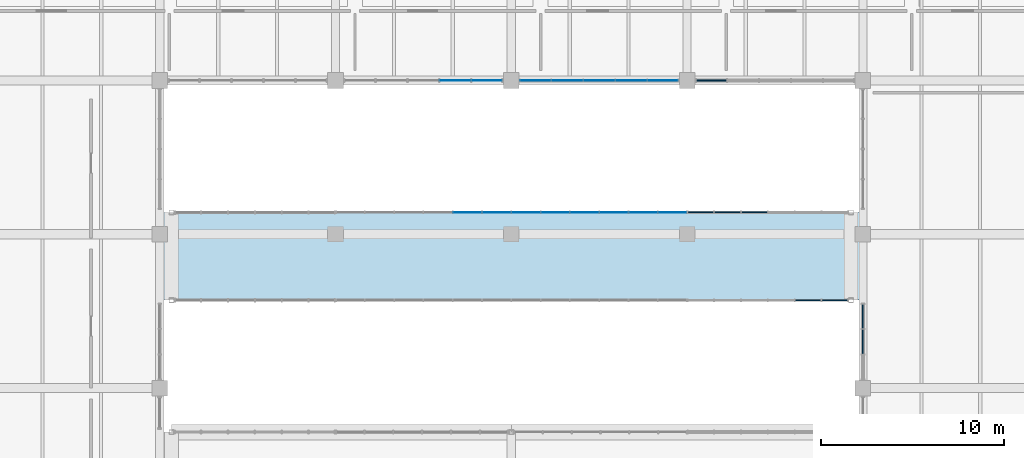
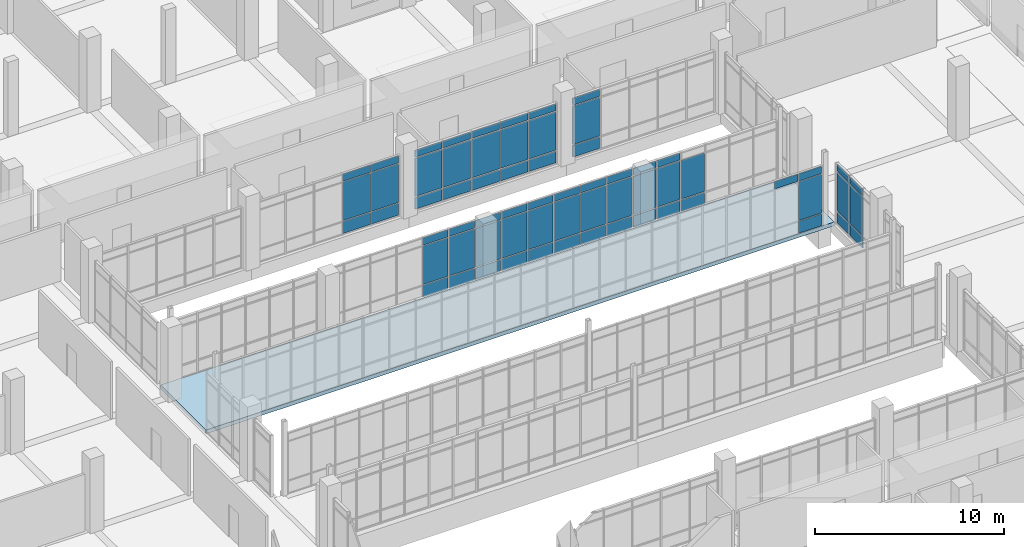
# One storey, part 102 of 152: 66 plates, 1 slab, 7 elements without a shape of their own.
"""IFC4 building model written with IfcOpenShell, lengths in metres."""

from ifc_helpers import new_model, si_unit, direction, frame, origin, origin_2d, place, context, subcontext, project, spatial, polyline, rectangle, outline, extrude, material, layer, layer_set, type_object, element, aggregate, save


model = new_model("IFC4")

# Units and contexts
model_context = context("Model", 3, precision=1e-05, world=origin(), true_north=direction((0.0, 1.0)))
body_context = subcontext(model_context, "Body", "Model", "MODEL_VIEW")
ifc_project = project(units=[si_unit("LENGTHUNIT", "METRE"), si_unit("AREAUNIT", "SQUARE_METRE"), si_unit("VOLUMEUNIT", "CUBIC_METRE"), si_unit("PLANEANGLEUNIT", "RADIAN"), si_unit("MASSUNIT", "GRAM", prefix="KILO")], contexts=[model_context])

# Site, building, storey
site_placement = place(None, origin())
site = spatial("IfcSite", under=ifc_project, at=site_placement, CompositionType="ELEMENT")
building_placement = place(site_placement, origin())
building = spatial("IfcBuilding", under=site, at=building_placement, Name="Oolite Switchyard Hospital", CompositionType="ELEMENT")
storey_placement = place(building_placement, frame((0.0, 0.0, 5.10009765625)))
storey = spatial("IfcBuildingStorey", under=building, at=storey_placement, Name="L01", CompositionType="ELEMENT", Elevation=5.10009765625)

# Curtain wall, plates
ifc_material_1 = material(Name="Thermally broken aluminum frame with laminated impact glazing", Category="aluminium")
curtain_wall_type_1 = type_object("IfcCurtainWallType", Name="CW-BRG-96X38", PredefinedType="USERDEFINED", material=ifc_material_1)
curtain_wall_1_placement = place(storey_placement, origin())
curtain_wall_1 = element("IfcCurtainWall", 1, at=curtain_wall_1_placement, inside=storey, type_object=curtain_wall_type_1, Name="L01 Unitised Curtain Wall 126", ObjectType="UNITISED", PredefinedType="USERDEFINED")
ifc_material_2 = material(Name="Insulated fluoropolymer-coated aluminum spandrel panel", Category="aluminium")
ifc_layer_1 = layer(ifc_material_2, 0.054931640625)
ifc_layer_set_1 = layer_set([ifc_layer_1], Name="CW-PNL-SPN55")
plate_type_1 = type_object("IfcPlateType", Name="CW-PNL-SPN55", PredefinedType="CURTAIN_PANEL", material=ifc_layer_set_1)
plate_1_placement = place(storey_placement, frame((180.8564453125, 46.800048828125, 0.06005859375), z_axis=(0.0, 0.0, 1.0), x_axis=(-1.0, 0.0, 0.0)))
plate_1 = element("IfcPlate", 2, at=plate_1_placement, type_object=plate_type_1, Name="CW-12 panel 1.1", PredefinedType="CURTAIN_PANEL", context=body_context, shape_type="SweptSolid", body=[
    extrude(rectangle(XDim=1.363037109375, YDim=0.054931640625, at=origin_2d()), origin(), (0.0, 0.0, 1.0), 0.760009765625),
])
plate_2_placement = place(storey_placement, frame((180.8564453125, 46.800048828125, 0.8798828125), z_axis=(0.0, 0.0, 1.0), x_axis=(-1.0, 0.0, 0.0)))
plate_2 = element("IfcPlate", 3, at=plate_2_placement, type_object=plate_type_1, Name="CW-12 panel 1.2", PredefinedType="CURTAIN_PANEL", context=body_context, shape_type="SweptSolid", body=[
    extrude(rectangle(XDim=1.363037109375, YDim=0.054931640625, at=origin_2d()), origin(), (0.0, 0.0, 1.0), 2.47998046875),
])
plate_3_placement = place(storey_placement, frame((180.8564453125, 46.800048828125, 3.419921875), z_axis=(0.0, 0.0, 1.0), x_axis=(-1.0, 0.0, 0.0)))
plate_3 = element("IfcPlate", 4, at=plate_3_placement, type_object=plate_type_1, Name="CW-12 panel 1.3", PredefinedType="CURTAIN_PANEL", context=body_context, shape_type="SweptSolid", body=[
    extrude(rectangle(XDim=1.363037109375, YDim=0.054931640625, at=origin_2d()), origin(), (0.0, 0.0, 1.0), 0.4599609375),
])
plate_4_placement = place(storey_placement, frame((179.406005859375, 46.800048828125, 3.419921875), z_axis=(0.0, 0.0, 1.0), x_axis=(-1.0, 0.0, 0.0)))
plate_4 = element("IfcPlate", 5, at=plate_4_placement, type_object=plate_type_1, Name="CW-12 panel 2.3", PredefinedType="CURTAIN_PANEL", context=body_context, shape_type="SweptSolid", body=[
    extrude(rectangle(XDim=1.39794921875, YDim=0.054931640625, at=origin_2d()), origin(), (0.0, 0.0, 1.0), 0.4599609375),
])
aggregate(curtain_wall_1, [plate_1, plate_2, plate_3, plate_4])

curtain_wall_2_placement = place(storey_placement, origin())
curtain_wall_2 = element("IfcCurtainWall", 6, at=curtain_wall_2_placement, inside=storey, type_object=curtain_wall_type_1, Name="L01 Unitised Curtain Wall 129", ObjectType="UNITISED", PredefinedType="USERDEFINED")
plate_5_placement = place(storey_placement, frame((173.551513671875, 51.60009765625, 0.07470703125), z_axis=(0.0, 0.0, 1.0), x_axis=(1.0, 0.0, 0.0)))
plate_5 = element("IfcPlate", 7, at=plate_5_placement, type_object=plate_type_1, Name="CW-12 panel 1.1", PredefinedType="CURTAIN_PANEL", context=body_context, shape_type="SweptSolid", body=[
    extrude(rectangle(XDim=1.363037109375, YDim=0.054931640625, at=origin_2d()), origin(), (0.0, 0.0, 1.0), 0.737548828125),
])
plate_6_placement = place(storey_placement, frame((173.551513671875, 51.60009765625, 0.88720703125), z_axis=(0.0, 0.0, 1.0), x_axis=(1.0, 0.0, 0.0)))
plate_6 = element("IfcPlate", 8, at=plate_6_placement, type_object=plate_type_1, Name="CW-12 panel 1.2", PredefinedType="CURTAIN_PANEL", context=body_context, shape_type="SweptSolid", body=[
    extrude(rectangle(XDim=1.363037109375, YDim=0.054931640625, at=origin_2d()), origin(), (0.0, 0.0, 1.0), 2.465087890625),
])
plate_7_placement = place(storey_placement, frame((173.551513671875, 51.60009765625, 3.427490234375), z_axis=(0.0, 0.0, 1.0), x_axis=(1.0, 0.0, 0.0)))
plate_7 = element("IfcPlate", 9, at=plate_7_placement, type_object=plate_type_1, Name="CW-12 panel 1.3", PredefinedType="CURTAIN_PANEL", context=body_context, shape_type="SweptSolid", body=[
    extrude(rectangle(XDim=1.363037109375, YDim=0.054931640625, at=origin_2d()), origin(), (0.0, 0.0, 1.0), 0.4375),
])
plate_8_placement = place(storey_placement, frame((175.001953125, 51.60009765625, 0.07470703125), z_axis=(0.0, 0.0, 1.0), x_axis=(1.0, 0.0, 0.0)))
plate_8 = element("IfcPlate", 10, at=plate_8_placement, type_object=plate_type_1, Name="CW-12 panel 2.1", PredefinedType="CURTAIN_PANEL", context=body_context, shape_type="SweptSolid", body=[
    extrude(rectangle(XDim=1.39794921875, YDim=0.054931640625, at=origin_2d()), origin(), (0.0, 0.0, 1.0), 0.737548828125),
])
plate_9_placement = place(storey_placement, frame((175.001953125, 51.60009765625, 0.88720703125), z_axis=(0.0, 0.0, 1.0), x_axis=(1.0, 0.0, 0.0)))
plate_9 = element("IfcPlate", 11, at=plate_9_placement, type_object=plate_type_1, Name="CW-12 panel 2.2", PredefinedType="CURTAIN_PANEL", context=body_context, shape_type="SweptSolid", body=[
    extrude(rectangle(XDim=1.39794921875, YDim=0.054931640625, at=origin_2d()), origin(), (0.0, 0.0, 1.0), 2.465087890625),
])
plate_10_placement = place(storey_placement, frame((175.001953125, 51.60009765625, 3.427490234375), z_axis=(0.0, 0.0, 1.0), x_axis=(1.0, 0.0, 0.0)))
plate_10 = element("IfcPlate", 12, at=plate_10_placement, type_object=plate_type_1, Name="CW-12 panel 2.3", PredefinedType="CURTAIN_PANEL", context=body_context, shape_type="SweptSolid", body=[
    extrude(rectangle(XDim=1.39794921875, YDim=0.054931640625, at=origin_2d()), origin(), (0.0, 0.0, 1.0), 0.4375),
])
plate_11_placement = place(storey_placement, frame((176.469970703125, 51.60009765625, 0.07470703125), z_axis=(0.0, 0.0, 1.0), x_axis=(1.0, 0.0, 0.0)))
plate_11 = element("IfcPlate", 13, at=plate_11_placement, type_object=plate_type_1, Name="CW-12 panel 3.1", PredefinedType="CURTAIN_PANEL", context=body_context, shape_type="SweptSolid", body=[
    extrude(rectangle(XDim=1.39794921875, YDim=0.054931640625, at=origin_2d()), origin(), (0.0, 0.0, 1.0), 0.737548828125),
])
plate_12_placement = place(storey_placement, frame((176.469970703125, 51.60009765625, 0.88720703125), z_axis=(0.0, 0.0, 1.0), x_axis=(1.0, 0.0, 0.0)))
plate_12 = element("IfcPlate", 14, at=plate_12_placement, type_object=plate_type_1, Name="CW-12 panel 3.2", PredefinedType="CURTAIN_PANEL", context=body_context, shape_type="SweptSolid", body=[
    extrude(rectangle(XDim=1.39794921875, YDim=0.054931640625, at=origin_2d()), origin(), (0.0, 0.0, 1.0), 2.465087890625),
])
aggregate(curtain_wall_2, [plate_5, plate_6, plate_7, plate_8, plate_9, plate_10, plate_11, plate_12])

curtain_wall_3_placement = place(storey_placement, origin())
curtain_wall_3 = element("IfcCurtainWall", 15, at=curtain_wall_3_placement, inside=storey, type_object=curtain_wall_type_1, Name="L01 Unitised Curtain Wall 199", ObjectType="UNITISED", PredefinedType="USERDEFINED")
plate_13_placement = place(storey_placement, frame((182.39990234375, 44.5400390625, 0.07470703125), z_axis=(0.0, 0.0, 1.0), x_axis=(0.0, 1.0, 0.0)))
plate_13 = element("IfcPlate", 16, at=plate_13_placement, type_object=plate_type_1, Name="CW-12 panel 2.1", PredefinedType="CURTAIN_PANEL", context=body_context, shape_type="SweptSolid", body=[
    extrude(rectangle(XDim=1.324951171875, YDim=0.054931640625, at=origin_2d()), origin(), (0.0, 0.0, 1.0), 0.737548828125),
])
plate_14_placement = place(storey_placement, frame((182.39990234375, 44.5400390625, 0.88720703125), z_axis=(0.0, 0.0, 1.0), x_axis=(0.0, 1.0, 0.0)))
plate_14 = element("IfcPlate", 17, at=plate_14_placement, type_object=plate_type_1, Name="CW-12 panel 2.2", PredefinedType="CURTAIN_PANEL", context=body_context, shape_type="SweptSolid", body=[
    extrude(rectangle(XDim=1.324951171875, YDim=0.054931640625, at=origin_2d()), origin(), (0.0, 0.0, 1.0), 2.465087890625),
])
plate_15_placement = place(storey_placement, frame((182.39990234375, 44.5400390625, 3.427490234375), z_axis=(0.0, 0.0, 1.0), x_axis=(0.0, 1.0, 0.0)))
plate_15 = element("IfcPlate", 18, at=plate_15_placement, type_object=plate_type_1, Name="CW-12 panel 2.3", PredefinedType="CURTAIN_PANEL", context=body_context, shape_type="SweptSolid", body=[
    extrude(rectangle(XDim=1.324951171875, YDim=0.054931640625, at=origin_2d()), origin(), (0.0, 0.0, 1.0), 0.4375),
])
plate_16_placement = place(storey_placement, frame((182.39990234375, 45.921142578125, 0.07470703125), z_axis=(0.0, 0.0, 1.0), x_axis=(0.0, 1.0, 0.0)))
plate_16 = element("IfcPlate", 19, at=plate_16_placement, type_object=plate_type_1, Name="CW-12 panel 3.1", PredefinedType="CURTAIN_PANEL", context=body_context, shape_type="SweptSolid", body=[
    extrude(rectangle(XDim=1.28759765625, YDim=0.054931640625, at=origin_2d()), origin(), (0.0, 0.0, 1.0), 0.737548828125),
])
plate_17_placement = place(storey_placement, frame((182.39990234375, 45.921142578125, 0.88720703125), z_axis=(0.0, 0.0, 1.0), x_axis=(0.0, 1.0, 0.0)))
plate_17 = element("IfcPlate", 20, at=plate_17_placement, type_object=plate_type_1, Name="CW-12 panel 3.2", PredefinedType="CURTAIN_PANEL", context=body_context, shape_type="SweptSolid", body=[
    extrude(rectangle(XDim=1.28759765625, YDim=0.054931640625, at=origin_2d()), origin(), (0.0, 0.0, 1.0), 2.465087890625),
])
plate_18_placement = place(storey_placement, frame((182.39990234375, 45.921142578125, 3.427490234375), z_axis=(0.0, 0.0, 1.0), x_axis=(0.0, 1.0, 0.0)))
plate_18 = element("IfcPlate", 21, at=plate_18_placement, type_object=plate_type_1, Name="CW-12 panel 3.3", PredefinedType="CURTAIN_PANEL", context=body_context, shape_type="SweptSolid", body=[
    extrude(rectangle(XDim=1.28759765625, YDim=0.054931640625, at=origin_2d()), origin(), (0.0, 0.0, 1.0), 0.4375),
])
aggregate(curtain_wall_3, [plate_13, plate_14, plate_15, plate_16, plate_17, plate_18])

curtain_wall_type_2 = type_object("IfcCurtainWallType", Name="CW-UNIT-96X48", PredefinedType="USERDEFINED", material=ifc_material_1)
curtain_wall_4_placement = place(storey_placement, origin())
curtain_wall_4 = element("IfcCurtainWall", 22, at=curtain_wall_4_placement, inside=storey, type_object=curtain_wall_type_2, Name="L01 Unitised Curtain Wall 133", ObjectType="UNITISED", PredefinedType="USERDEFINED")
ifc_layer_2 = layer(ifc_material_2, 0.070068359375)
ifc_layer_set_2 = layer_set([ifc_layer_2], Name="CW-PNL-SPN70")
plate_type_2 = type_object("IfcPlateType", Name="CW-PNL-SPN70", PredefinedType="CURTAIN_PANEL", material=ifc_layer_set_2)
plate_19_placement = place(storey_placement, frame((174.130859375, 58.800048828125, 0.07470703125), z_axis=(0.0, 0.0, 1.0), x_axis=(-1.0, 0.0, 0.0)))
plate_19 = element("IfcPlate", 23, at=plate_19_placement, type_object=plate_type_2, Name="CW-02 panel 5.1", PredefinedType="CURTAIN_PANEL", context=body_context, shape_type="SweptSolid", body=[
    extrude(rectangle(XDim=1.631591796875, YDim=0.070068359375, at=origin_2d()), origin(), (0.0, 0.0, 1.0), 0.737548828125),
])
plate_20_placement = place(storey_placement, frame((174.130859375, 58.800048828125, 0.88720703125), z_axis=(0.0, 0.0, 1.0), x_axis=(-1.0, 0.0, 0.0)))
plate_20 = element("IfcPlate", 24, at=plate_20_placement, type_object=plate_type_2, Name="CW-02 panel 5.2", PredefinedType="CURTAIN_PANEL", context=body_context, shape_type="SweptSolid", body=[
    extrude(rectangle(XDim=1.631591796875, YDim=0.070068359375, at=origin_2d()), origin(), (0.0, 0.0, 1.0), 2.465087890625),
])
plate_21_placement = place(storey_placement, frame((174.130859375, 58.800048828125, 3.427490234375), z_axis=(0.0, 0.0, 1.0), x_axis=(-1.0, 0.0, 0.0)))
plate_21 = element("IfcPlate", 25, at=plate_21_placement, type_object=plate_type_2, Name="CW-02 panel 5.3", PredefinedType="CURTAIN_PANEL", context=body_context, shape_type="SweptSolid", body=[
    extrude(rectangle(XDim=1.631591796875, YDim=0.070068359375, at=origin_2d()), origin(), (0.0, 0.0, 1.0), 0.4375),
])
aggregate(curtain_wall_4, [plate_19, plate_20, plate_21])

curtain_wall_5_placement = place(storey_placement, origin())
curtain_wall_5 = element("IfcCurtainWall", 26, at=curtain_wall_5_placement, inside=storey, type_object=curtain_wall_type_1, Name="L01 Unitised Curtain Wall 128", ObjectType="UNITISED", PredefinedType="USERDEFINED")
ifc_material_3 = material(Name="Laminated hurricane-impact insulated glazing unit", Category="glass")
ifc_layer_3 = layer(ifc_material_3, 0.035888671875)
ifc_layer_set_3 = layer_set([ifc_layer_3], Name="CW-PNL-VIS36")
plate_type_3 = type_object("IfcPlateType", Name="CW-PNL-VIS36", PredefinedType="CURTAIN_PANEL", material=ifc_layer_set_3)
plate_22_placement = place(storey_placement, frame((160.800048828125, 51.60009765625, 0.06005859375), z_axis=(0.0, 0.0, 1.0), x_axis=(1.0, 0.0, 0.0)))
plate_22 = element("IfcPlate", 27, at=plate_22_placement, type_object=plate_type_3, Name="CW-12 panel 5.1", PredefinedType="CURTAIN_PANEL", context=body_context, shape_type="SweptSolid", body=[
    extrude(rectangle(XDim=1.5400390625, YDim=0.035888671875, at=origin_2d()), origin(), (0.0, 0.0, 1.0), 0.760009765625),
])
plate_23_placement = place(storey_placement, frame((160.800048828125, 51.60009765625, 0.8798828125), z_axis=(0.0, 0.0, 1.0), x_axis=(1.0, 0.0, 0.0)))
plate_23 = element("IfcPlate", 28, at=plate_23_placement, type_object=plate_type_3, Name="CW-12 panel 5.2", PredefinedType="CURTAIN_PANEL", context=body_context, shape_type="SweptSolid", body=[
    extrude(rectangle(XDim=1.5400390625, YDim=0.035888671875, at=origin_2d()), origin(), (0.0, 0.0, 1.0), 2.47998046875),
])
plate_24_placement = place(storey_placement, frame((160.800048828125, 51.60009765625, 3.419921875), z_axis=(0.0, 0.0, 1.0), x_axis=(1.0, 0.0, 0.0)))
plate_24 = element("IfcPlate", 29, at=plate_24_placement, type_object=plate_type_3, Name="CW-12 panel 5.3", PredefinedType="CURTAIN_PANEL", context=body_context, shape_type="SweptSolid", body=[
    extrude(rectangle(XDim=1.5400390625, YDim=0.035888671875, at=origin_2d()), origin(), (0.0, 0.0, 1.0), 0.4599609375),
])
plate_25_placement = place(storey_placement, frame((162.39990234375, 51.60009765625, 0.06005859375), z_axis=(0.0, 0.0, 1.0), x_axis=(1.0, 0.0, 0.0)))
plate_25 = element("IfcPlate", 30, at=plate_25_placement, type_object=plate_type_3, Name="CW-12 panel 6.1", PredefinedType="CURTAIN_PANEL", context=body_context, shape_type="SweptSolid", body=[
    extrude(rectangle(XDim=1.5400390625, YDim=0.035888671875, at=origin_2d()), origin(), (0.0, 0.0, 1.0), 0.760009765625),
])
plate_26_placement = place(storey_placement, frame((162.39990234375, 51.60009765625, 0.8798828125), z_axis=(0.0, 0.0, 1.0), x_axis=(1.0, 0.0, 0.0)))
plate_26 = element("IfcPlate", 31, at=plate_26_placement, type_object=plate_type_3, Name="CW-12 panel 6.2", PredefinedType="CURTAIN_PANEL", context=body_context, shape_type="SweptSolid", body=[
    extrude(rectangle(XDim=1.5400390625, YDim=0.035888671875, at=origin_2d()), origin(), (0.0, 0.0, 1.0), 2.47998046875),
])
plate_27_placement = place(storey_placement, frame((162.39990234375, 51.60009765625, 3.419921875), z_axis=(0.0, 0.0, 1.0), x_axis=(1.0, 0.0, 0.0)))
plate_27 = element("IfcPlate", 32, at=plate_27_placement, type_object=plate_type_3, Name="CW-12 panel 6.3", PredefinedType="CURTAIN_PANEL", context=body_context, shape_type="SweptSolid", body=[
    extrude(rectangle(XDim=1.5400390625, YDim=0.035888671875, at=origin_2d()), origin(), (0.0, 0.0, 1.0), 0.4599609375),
])
plate_28_placement = place(storey_placement, frame((164.0, 51.60009765625, 0.06005859375), z_axis=(0.0, 0.0, 1.0), x_axis=(1.0, 0.0, 0.0)))
plate_28 = element("IfcPlate", 33, at=plate_28_placement, type_object=plate_type_3, Name="CW-12 panel 7.1", PredefinedType="CURTAIN_PANEL", context=body_context, shape_type="SweptSolid", body=[
    extrude(rectangle(XDim=1.5400390625, YDim=0.035888671875, at=origin_2d()), origin(), (0.0, 0.0, 1.0), 0.760009765625),
])
plate_29_placement = place(storey_placement, frame((164.0, 51.60009765625, 0.8798828125), z_axis=(0.0, 0.0, 1.0), x_axis=(1.0, 0.0, 0.0)))
plate_29 = element("IfcPlate", 34, at=plate_29_placement, type_object=plate_type_3, Name="CW-12 panel 7.2", PredefinedType="CURTAIN_PANEL", context=body_context, shape_type="SweptSolid", body=[
    extrude(rectangle(XDim=1.5400390625, YDim=0.035888671875, at=origin_2d()), origin(), (0.0, 0.0, 1.0), 2.47998046875),
])
plate_30_placement = place(storey_placement, frame((164.0, 51.60009765625, 3.419921875), z_axis=(0.0, 0.0, 1.0), x_axis=(1.0, 0.0, 0.0)))
plate_30 = element("IfcPlate", 35, at=plate_30_placement, type_object=plate_type_3, Name="CW-12 panel 7.3", PredefinedType="CURTAIN_PANEL", context=body_context, shape_type="SweptSolid", body=[
    extrude(rectangle(XDim=1.5400390625, YDim=0.035888671875, at=origin_2d()), origin(), (0.0, 0.0, 1.0), 0.4599609375),
])
plate_31_placement = place(storey_placement, frame((165.60009765625, 51.60009765625, 0.06005859375), z_axis=(0.0, 0.0, 1.0), x_axis=(1.0, 0.0, 0.0)))
plate_31 = element("IfcPlate", 36, at=plate_31_placement, type_object=plate_type_3, Name="CW-12 panel 8.1", PredefinedType="CURTAIN_PANEL", context=body_context, shape_type="SweptSolid", body=[
    extrude(rectangle(XDim=1.5400390625, YDim=0.035888671875, at=origin_2d()), origin(), (0.0, 0.0, 1.0), 0.760009765625),
])
plate_32_placement = place(storey_placement, frame((165.60009765625, 51.60009765625, 0.8798828125), z_axis=(0.0, 0.0, 1.0), x_axis=(1.0, 0.0, 0.0)))
plate_32 = element("IfcPlate", 37, at=plate_32_placement, type_object=plate_type_3, Name="CW-12 panel 8.2", PredefinedType="CURTAIN_PANEL", context=body_context, shape_type="SweptSolid", body=[
    extrude(rectangle(XDim=1.5400390625, YDim=0.035888671875, at=origin_2d()), origin(), (0.0, 0.0, 1.0), 2.47998046875),
])
plate_33_placement = place(storey_placement, frame((165.60009765625, 51.60009765625, 3.419921875), z_axis=(0.0, 0.0, 1.0), x_axis=(1.0, 0.0, 0.0)))
plate_33 = element("IfcPlate", 38, at=plate_33_placement, type_object=plate_type_3, Name="CW-12 panel 8.3", PredefinedType="CURTAIN_PANEL", context=body_context, shape_type="SweptSolid", body=[
    extrude(rectangle(XDim=1.5400390625, YDim=0.035888671875, at=origin_2d()), origin(), (0.0, 0.0, 1.0), 0.4599609375),
])
plate_34_placement = place(storey_placement, frame((167.199951171875, 51.60009765625, 0.06005859375), z_axis=(0.0, 0.0, 1.0), x_axis=(1.0, 0.0, 0.0)))
plate_34 = element("IfcPlate", 39, at=plate_34_placement, type_object=plate_type_3, Name="CW-12 panel 9.1", PredefinedType="CURTAIN_PANEL", context=body_context, shape_type="SweptSolid", body=[
    extrude(rectangle(XDim=1.5400390625, YDim=0.035888671875, at=origin_2d()), origin(), (0.0, 0.0, 1.0), 0.760009765625),
])
plate_35_placement = place(storey_placement, frame((167.199951171875, 51.60009765625, 0.8798828125), z_axis=(0.0, 0.0, 1.0), x_axis=(1.0, 0.0, 0.0)))
plate_35 = element("IfcPlate", 40, at=plate_35_placement, type_object=plate_type_3, Name="CW-12 panel 9.2", PredefinedType="CURTAIN_PANEL", context=body_context, shape_type="SweptSolid", body=[
    extrude(rectangle(XDim=1.5400390625, YDim=0.035888671875, at=origin_2d()), origin(), (0.0, 0.0, 1.0), 2.47998046875),
])
plate_36_placement = place(storey_placement, frame((167.199951171875, 51.60009765625, 3.419921875), z_axis=(0.0, 0.0, 1.0), x_axis=(1.0, 0.0, 0.0)))
plate_36 = element("IfcPlate", 41, at=plate_36_placement, type_object=plate_type_3, Name="CW-12 panel 9.3", PredefinedType="CURTAIN_PANEL", context=body_context, shape_type="SweptSolid", body=[
    extrude(rectangle(XDim=1.5400390625, YDim=0.035888671875, at=origin_2d()), origin(), (0.0, 0.0, 1.0), 0.4599609375),
])
plate_37_placement = place(storey_placement, frame((168.800048828125, 51.60009765625, 0.06005859375), z_axis=(0.0, 0.0, 1.0), x_axis=(1.0, 0.0, 0.0)))
plate_37 = element("IfcPlate", 42, at=plate_37_placement, type_object=plate_type_3, Name="CW-12 panel 10.1", PredefinedType="CURTAIN_PANEL", context=body_context, shape_type="SweptSolid", body=[
    extrude(rectangle(XDim=1.5400390625, YDim=0.035888671875, at=origin_2d()), origin(), (0.0, 0.0, 1.0), 0.760009765625),
])
plate_38_placement = place(storey_placement, frame((168.800048828125, 51.60009765625, 0.8798828125), z_axis=(0.0, 0.0, 1.0), x_axis=(1.0, 0.0, 0.0)))
plate_38 = element("IfcPlate", 43, at=plate_38_placement, type_object=plate_type_3, Name="CW-12 panel 10.2", PredefinedType="CURTAIN_PANEL", context=body_context, shape_type="SweptSolid", body=[
    extrude(rectangle(XDim=1.5400390625, YDim=0.035888671875, at=origin_2d()), origin(), (0.0, 0.0, 1.0), 2.47998046875),
])
plate_39_placement = place(storey_placement, frame((168.800048828125, 51.60009765625, 3.419921875), z_axis=(0.0, 0.0, 1.0), x_axis=(1.0, 0.0, 0.0)))
plate_39 = element("IfcPlate", 44, at=plate_39_placement, type_object=plate_type_3, Name="CW-12 panel 10.3", PredefinedType="CURTAIN_PANEL", context=body_context, shape_type="SweptSolid", body=[
    extrude(rectangle(XDim=1.5400390625, YDim=0.035888671875, at=origin_2d()), origin(), (0.0, 0.0, 1.0), 0.4599609375),
])
plate_40_placement = place(storey_placement, frame((170.39990234375, 51.60009765625, 0.06005859375), z_axis=(0.0, 0.0, 1.0), x_axis=(1.0, 0.0, 0.0)))
plate_40 = element("IfcPlate", 45, at=plate_40_placement, type_object=plate_type_3, Name="CW-12 panel 11.1", PredefinedType="CURTAIN_PANEL", context=body_context, shape_type="SweptSolid", body=[
    extrude(rectangle(XDim=1.5400390625, YDim=0.035888671875, at=origin_2d()), origin(), (0.0, 0.0, 1.0), 0.760009765625),
])
plate_41_placement = place(storey_placement, frame((170.39990234375, 51.60009765625, 0.8798828125), z_axis=(0.0, 0.0, 1.0), x_axis=(1.0, 0.0, 0.0)))
plate_41 = element("IfcPlate", 46, at=plate_41_placement, type_object=plate_type_3, Name="CW-12 panel 11.2", PredefinedType="CURTAIN_PANEL", context=body_context, shape_type="SweptSolid", body=[
    extrude(rectangle(XDim=1.5400390625, YDim=0.035888671875, at=origin_2d()), origin(), (0.0, 0.0, 1.0), 2.47998046875),
])
plate_42_placement = place(storey_placement, frame((170.39990234375, 51.60009765625, 3.419921875), z_axis=(0.0, 0.0, 1.0), x_axis=(1.0, 0.0, 0.0)))
plate_42 = element("IfcPlate", 47, at=plate_42_placement, type_object=plate_type_3, Name="CW-12 panel 11.3", PredefinedType="CURTAIN_PANEL", context=body_context, shape_type="SweptSolid", body=[
    extrude(rectangle(XDim=1.5400390625, YDim=0.035888671875, at=origin_2d()), origin(), (0.0, 0.0, 1.0), 0.4599609375),
])
plate_43_placement = place(storey_placement, frame((171.985107421875, 51.60009765625, 0.06005859375), z_axis=(0.0, 0.0, 1.0), x_axis=(1.0, 0.0, 0.0)))
plate_43 = element("IfcPlate", 48, at=plate_43_placement, type_object=plate_type_3, Name="CW-12 panel 12.1", PredefinedType="CURTAIN_PANEL", context=body_context, shape_type="SweptSolid", body=[
    extrude(rectangle(XDim=1.510009765625, YDim=0.035888671875, at=origin_2d()), origin(), (0.0, 0.0, 1.0), 0.760009765625),
])
plate_44_placement = place(storey_placement, frame((171.985107421875, 51.60009765625, 0.8798828125), z_axis=(0.0, 0.0, 1.0), x_axis=(1.0, 0.0, 0.0)))
plate_44 = element("IfcPlate", 49, at=plate_44_placement, type_object=plate_type_3, Name="CW-12 panel 12.2", PredefinedType="CURTAIN_PANEL", context=body_context, shape_type="SweptSolid", body=[
    extrude(rectangle(XDim=1.510009765625, YDim=0.035888671875, at=origin_2d()), origin(), (0.0, 0.0, 1.0), 2.47998046875),
])
plate_45_placement = place(storey_placement, frame((171.985107421875, 51.60009765625, 3.419921875), z_axis=(0.0, 0.0, 1.0), x_axis=(1.0, 0.0, 0.0)))
plate_45 = element("IfcPlate", 50, at=plate_45_placement, type_object=plate_type_3, Name="CW-12 panel 12.3", PredefinedType="CURTAIN_PANEL", context=body_context, shape_type="SweptSolid", body=[
    extrude(rectangle(XDim=1.510009765625, YDim=0.035888671875, at=origin_2d()), origin(), (0.0, 0.0, 1.0), 0.4599609375),
])
aggregate(curtain_wall_5, [plate_22, plate_23, plate_24, plate_25, plate_26, plate_27, plate_28, plate_29, plate_30, plate_31, plate_32, plate_33, plate_34, plate_35, plate_36, plate_37, plate_38, plate_39, plate_40, plate_41, plate_42, plate_43, plate_44, plate_45])

curtain_wall_6_placement = place(storey_placement, origin())
curtain_wall_6 = element("IfcCurtainWall", 51, at=curtain_wall_6_placement, inside=storey, type_object=curtain_wall_type_2, Name="L01 Unitised Curtain Wall 131", ObjectType="UNITISED", PredefinedType="USERDEFINED")
plate_46_placement = place(storey_placement, frame((171.472900390625, 58.800048828125, 0.07470703125), z_axis=(0.0, 0.0, 1.0), x_axis=(-1.0, 0.0, 0.0)))
plate_46 = element("IfcPlate", 52, at=plate_46_placement, type_object=plate_type_3, Name="CW-02 panel 1.1", PredefinedType="CURTAIN_PANEL", context=body_context, shape_type="SweptSolid", body=[
    extrude(rectangle(XDim=1.654052734375, YDim=0.035888671875, at=origin_2d()), origin(), (0.0, 0.0, 1.0), 0.737548828125),
])
plate_47_placement = place(storey_placement, frame((171.472900390625, 58.800048828125, 0.88720703125), z_axis=(0.0, 0.0, 1.0), x_axis=(-1.0, 0.0, 0.0)))
plate_47 = element("IfcPlate", 53, at=plate_47_placement, type_object=plate_type_3, Name="CW-02 panel 1.2", PredefinedType="CURTAIN_PANEL", context=body_context, shape_type="SweptSolid", body=[
    extrude(rectangle(XDim=1.654052734375, YDim=0.035888671875, at=origin_2d()), origin(), (0.0, 0.0, 1.0), 2.465087890625),
])
plate_48_placement = place(storey_placement, frame((171.472900390625, 58.800048828125, 3.427490234375), z_axis=(0.0, 0.0, 1.0), x_axis=(-1.0, 0.0, 0.0)))
plate_48 = element("IfcPlate", 54, at=plate_48_placement, type_object=plate_type_3, Name="CW-02 panel 1.3", PredefinedType="CURTAIN_PANEL", context=body_context, shape_type="SweptSolid", body=[
    extrude(rectangle(XDim=1.654052734375, YDim=0.035888671875, at=origin_2d()), origin(), (0.0, 0.0, 1.0), 0.4375),
])
plate_49_placement = place(storey_placement, frame((169.743896484375, 58.800048828125, 0.07470703125), z_axis=(0.0, 0.0, 1.0), x_axis=(-1.0, 0.0, 0.0)))
plate_49 = element("IfcPlate", 55, at=plate_49_placement, type_object=plate_type_3, Name="CW-02 panel 2.1", PredefinedType="CURTAIN_PANEL", context=body_context, shape_type="SweptSolid", body=[
    extrude(rectangle(XDim=1.68408203125, YDim=0.035888671875, at=origin_2d()), origin(), (0.0, 0.0, 1.0), 0.737548828125),
])
plate_50_placement = place(storey_placement, frame((169.743896484375, 58.800048828125, 0.88720703125), z_axis=(0.0, 0.0, 1.0), x_axis=(-1.0, 0.0, 0.0)))
plate_50 = element("IfcPlate", 56, at=plate_50_placement, type_object=plate_type_3, Name="CW-02 panel 2.2", PredefinedType="CURTAIN_PANEL", context=body_context, shape_type="SweptSolid", body=[
    extrude(rectangle(XDim=1.68408203125, YDim=0.035888671875, at=origin_2d()), origin(), (0.0, 0.0, 1.0), 2.465087890625),
])
plate_51_placement = place(storey_placement, frame((169.743896484375, 58.800048828125, 3.427490234375), z_axis=(0.0, 0.0, 1.0), x_axis=(-1.0, 0.0, 0.0)))
plate_51 = element("IfcPlate", 57, at=plate_51_placement, type_object=plate_type_3, Name="CW-02 panel 2.3", PredefinedType="CURTAIN_PANEL", context=body_context, shape_type="SweptSolid", body=[
    extrude(rectangle(XDim=1.68408203125, YDim=0.035888671875, at=origin_2d()), origin(), (0.0, 0.0, 1.0), 0.4375),
])
plate_52_placement = place(storey_placement, frame((168.0, 58.800048828125, 0.07470703125), z_axis=(0.0, 0.0, 1.0), x_axis=(-1.0, 0.0, 0.0)))
plate_52 = element("IfcPlate", 58, at=plate_52_placement, type_object=plate_type_3, Name="CW-02 panel 3.1", PredefinedType="CURTAIN_PANEL", context=body_context, shape_type="SweptSolid", body=[
    extrude(rectangle(XDim=1.68408203125, YDim=0.035888671875, at=origin_2d()), origin(), (0.0, 0.0, 1.0), 0.737548828125),
])
plate_53_placement = place(storey_placement, frame((168.0, 58.800048828125, 0.88720703125), z_axis=(0.0, 0.0, 1.0), x_axis=(-1.0, 0.0, 0.0)))
plate_53 = element("IfcPlate", 59, at=plate_53_placement, type_object=plate_type_3, Name="CW-02 panel 3.2", PredefinedType="CURTAIN_PANEL", context=body_context, shape_type="SweptSolid", body=[
    extrude(rectangle(XDim=1.68408203125, YDim=0.035888671875, at=origin_2d()), origin(), (0.0, 0.0, 1.0), 2.465087890625),
])
plate_54_placement = place(storey_placement, frame((168.0, 58.800048828125, 3.427490234375), z_axis=(0.0, 0.0, 1.0), x_axis=(-1.0, 0.0, 0.0)))
plate_54 = element("IfcPlate", 60, at=plate_54_placement, type_object=plate_type_3, Name="CW-02 panel 3.3", PredefinedType="CURTAIN_PANEL", context=body_context, shape_type="SweptSolid", body=[
    extrude(rectangle(XDim=1.68408203125, YDim=0.035888671875, at=origin_2d()), origin(), (0.0, 0.0, 1.0), 0.4375),
])
plate_55_placement = place(storey_placement, frame((166.256103515625, 58.800048828125, 0.07470703125), z_axis=(0.0, 0.0, 1.0), x_axis=(-1.0, 0.0, 0.0)))
plate_55 = element("IfcPlate", 61, at=plate_55_placement, type_object=plate_type_3, Name="CW-02 panel 4.1", PredefinedType="CURTAIN_PANEL", context=body_context, shape_type="SweptSolid", body=[
    extrude(rectangle(XDim=1.68408203125, YDim=0.035888671875, at=origin_2d()), origin(), (0.0, 0.0, 1.0), 0.737548828125),
])
plate_56_placement = place(storey_placement, frame((166.256103515625, 58.800048828125, 0.88720703125), z_axis=(0.0, 0.0, 1.0), x_axis=(-1.0, 0.0, 0.0)))
plate_56 = element("IfcPlate", 62, at=plate_56_placement, type_object=plate_type_3, Name="CW-02 panel 4.2", PredefinedType="CURTAIN_PANEL", context=body_context, shape_type="SweptSolid", body=[
    extrude(rectangle(XDim=1.68408203125, YDim=0.035888671875, at=origin_2d()), origin(), (0.0, 0.0, 1.0), 2.465087890625),
])
plate_57_placement = place(storey_placement, frame((166.256103515625, 58.800048828125, 3.427490234375), z_axis=(0.0, 0.0, 1.0), x_axis=(-1.0, 0.0, 0.0)))
plate_57 = element("IfcPlate", 63, at=plate_57_placement, type_object=plate_type_3, Name="CW-02 panel 4.3", PredefinedType="CURTAIN_PANEL", context=body_context, shape_type="SweptSolid", body=[
    extrude(rectangle(XDim=1.68408203125, YDim=0.035888671875, at=origin_2d()), origin(), (0.0, 0.0, 1.0), 0.4375),
])
plate_58_placement = place(storey_placement, frame((164.527099609375, 58.800048828125, 0.07470703125), z_axis=(0.0, 0.0, 1.0), x_axis=(-1.0, 0.0, 0.0)))
plate_58 = element("IfcPlate", 64, at=plate_58_placement, type_object=plate_type_3, Name="CW-02 panel 5.1", PredefinedType="CURTAIN_PANEL", context=body_context, shape_type="SweptSolid", body=[
    extrude(rectangle(XDim=1.654052734375, YDim=0.035888671875, at=origin_2d()), origin(), (0.0, 0.0, 1.0), 0.737548828125),
])
plate_59_placement = place(storey_placement, frame((164.527099609375, 58.800048828125, 0.88720703125), z_axis=(0.0, 0.0, 1.0), x_axis=(-1.0, 0.0, 0.0)))
plate_59 = element("IfcPlate", 65, at=plate_59_placement, type_object=plate_type_3, Name="CW-02 panel 5.2", PredefinedType="CURTAIN_PANEL", context=body_context, shape_type="SweptSolid", body=[
    extrude(rectangle(XDim=1.654052734375, YDim=0.035888671875, at=origin_2d()), origin(), (0.0, 0.0, 1.0), 2.465087890625),
])
plate_60_placement = place(storey_placement, frame((164.527099609375, 58.800048828125, 3.427490234375), z_axis=(0.0, 0.0, 1.0), x_axis=(-1.0, 0.0, 0.0)))
plate_60 = element("IfcPlate", 66, at=plate_60_placement, type_object=plate_type_3, Name="CW-02 panel 5.3", PredefinedType="CURTAIN_PANEL", context=body_context, shape_type="SweptSolid", body=[
    extrude(rectangle(XDim=1.654052734375, YDim=0.035888671875, at=origin_2d()), origin(), (0.0, 0.0, 1.0), 0.4375),
])
aggregate(curtain_wall_6, [plate_46, plate_47, plate_48, plate_49, plate_50, plate_51, plate_52, plate_53, plate_54, plate_55, plate_56, plate_57, plate_58, plate_59, plate_60])

curtain_wall_7_placement = place(storey_placement, origin())
curtain_wall_7 = element("IfcCurtainWall", 67, at=curtain_wall_7_placement, inside=storey, type_object=curtain_wall_type_2, Name="L01 Unitised Curtain Wall 132", ObjectType="UNITISED", PredefinedType="USERDEFINED")
ifc_layer_4 = layer(ifc_material_3, 0.0419921875)
ifc_layer_set_4 = layer_set([ifc_layer_4], Name="CW-PNL-VIS42")
plate_type_4 = type_object("IfcPlateType", Name="CW-PNL-VIS42", PredefinedType="CURTAIN_PANEL", material=ifc_layer_set_4)
plate_61_placement = place(storey_placement, frame((161.87060546875, 58.800048828125, 0.06005859375), z_axis=(0.0, 0.0, 1.0), x_axis=(-1.0, 0.0, 0.0)))
plate_61 = element("IfcPlate", 68, at=plate_61_placement, type_object=plate_type_4, Name="CW-02 panel 1.1", PredefinedType="CURTAIN_PANEL", context=body_context, shape_type="SweptSolid", body=[
    extrude(rectangle(XDim=1.638916015625, YDim=0.0419921875, at=origin_2d()), origin(), (0.0, 0.0, 1.0), 0.760009765625),
])
plate_62_placement = place(storey_placement, frame((161.87060546875, 58.800048828125, 0.8798828125), z_axis=(0.0, 0.0, 1.0), x_axis=(-1.0, 0.0, 0.0)))
plate_62 = element("IfcPlate", 69, at=plate_62_placement, type_object=plate_type_4, Name="CW-02 panel 1.2", PredefinedType="CURTAIN_PANEL", context=body_context, shape_type="SweptSolid", body=[
    extrude(rectangle(XDim=1.638916015625, YDim=0.0419921875, at=origin_2d()), origin(), (0.0, 0.0, 1.0), 2.47998046875),
])
plate_63_placement = place(storey_placement, frame((161.87060546875, 58.800048828125, 3.419921875), z_axis=(0.0, 0.0, 1.0), x_axis=(-1.0, 0.0, 0.0)))
plate_63 = element("IfcPlate", 70, at=plate_63_placement, type_object=plate_type_4, Name="CW-02 panel 1.3", PredefinedType="CURTAIN_PANEL", context=body_context, shape_type="SweptSolid", body=[
    extrude(rectangle(XDim=1.638916015625, YDim=0.0419921875, at=origin_2d()), origin(), (0.0, 0.0, 1.0), 0.4599609375),
])
plate_64_placement = place(storey_placement, frame((160.14404296875, 58.800048828125, 0.06005859375), z_axis=(0.0, 0.0, 1.0), x_axis=(-1.0, 0.0, 0.0)))
plate_64 = element("IfcPlate", 71, at=plate_64_placement, type_object=plate_type_4, Name="CW-02 panel 2.1", PredefinedType="CURTAIN_PANEL", context=body_context, shape_type="SweptSolid", body=[
    extrude(rectangle(XDim=1.674072265625, YDim=0.0419921875, at=origin_2d()), origin(), (0.0, 0.0, 1.0), 0.760009765625),
])
plate_65_placement = place(storey_placement, frame((160.14404296875, 58.800048828125, 0.8798828125), z_axis=(0.0, 0.0, 1.0), x_axis=(-1.0, 0.0, 0.0)))
plate_65 = element("IfcPlate", 72, at=plate_65_placement, type_object=plate_type_4, Name="CW-02 panel 2.2", PredefinedType="CURTAIN_PANEL", context=body_context, shape_type="SweptSolid", body=[
    extrude(rectangle(XDim=1.674072265625, YDim=0.0419921875, at=origin_2d()), origin(), (0.0, 0.0, 1.0), 2.47998046875),
])
plate_66_placement = place(storey_placement, frame((160.14404296875, 58.800048828125, 3.419921875), z_axis=(0.0, 0.0, 1.0), x_axis=(-1.0, 0.0, 0.0)))
plate_66 = element("IfcPlate", 73, at=plate_66_placement, type_object=plate_type_4, Name="CW-02 panel 2.3", PredefinedType="CURTAIN_PANEL", context=body_context, shape_type="SweptSolid", body=[
    extrude(rectangle(XDim=1.674072265625, YDim=0.0419921875, at=origin_2d()), origin(), (0.0, 0.0, 1.0), 0.4599609375),
])
aggregate(curtain_wall_7, [plate_61, plate_62, plate_63, plate_64, plate_65, plate_66])

# Slab
ifc_material_4 = material(Name="Concrete C40/50", Category="concrete")
ifc_layer_5 = layer(ifc_material_4, 0.239990234375)
ifc_layer_set_5 = layer_set([ifc_layer_5], Name="SLB-BRG-240")
slab_type = type_object("IfcSlabType", Name="SLB-BRG-240", PredefinedType="FLOOR", material=ifc_layer_set_5)
slab_placement = place(storey_placement, frame((0.0, 0.0, -0.239990234375)))
element("IfcSlab", 74, at=slab_placement, inside=storey, type_object=slab_type, Name="L01 V6 Slab V6B2", PredefinedType="FLOOR", context=body_context, shape_type="SweptSolid", body=[
    extrude(outline(polyline([(144.050048828125, 46.800048828125), (182.35009765625, 46.800048828125), (182.35009765625, 51.60009765625), (144.050048828125, 51.60009765625), (144.050048828125, 46.800048828125)])), origin(), (0.0, 0.0, 1.0), 0.239990234375),
])

save(model, "model.ifc")
